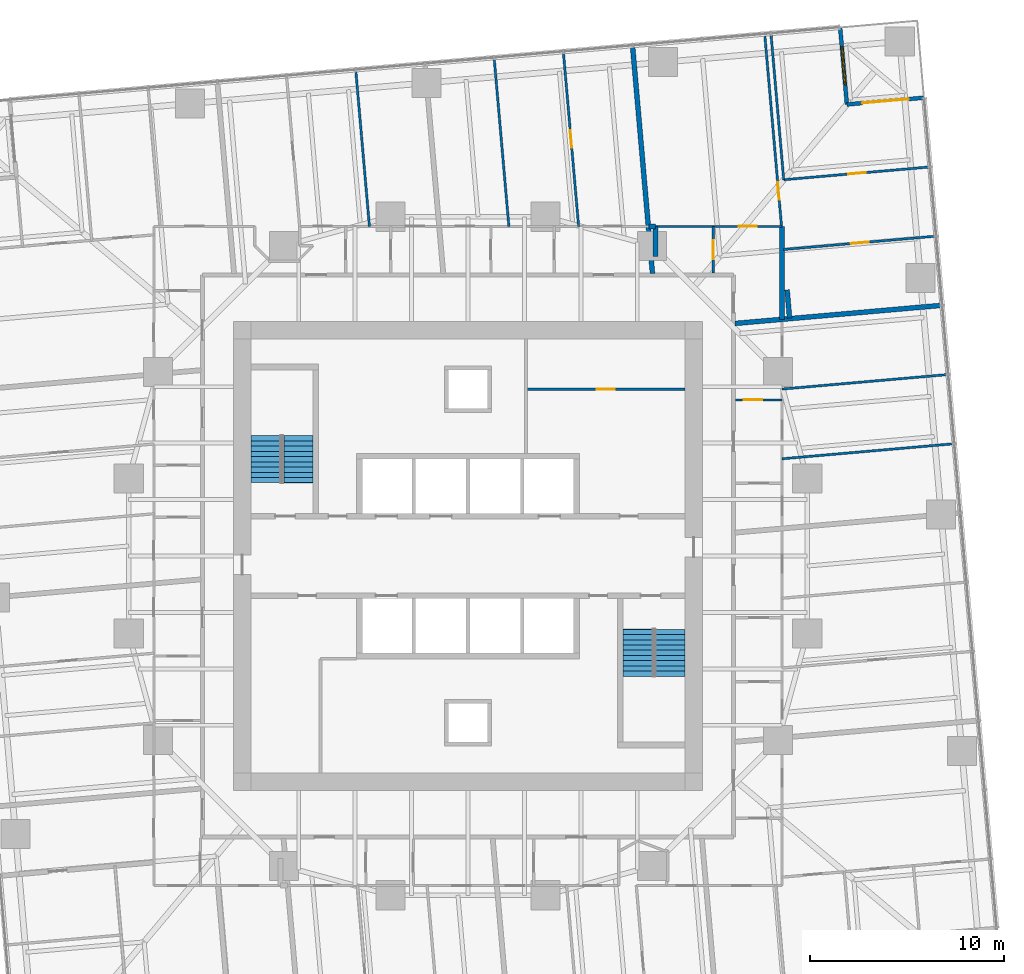
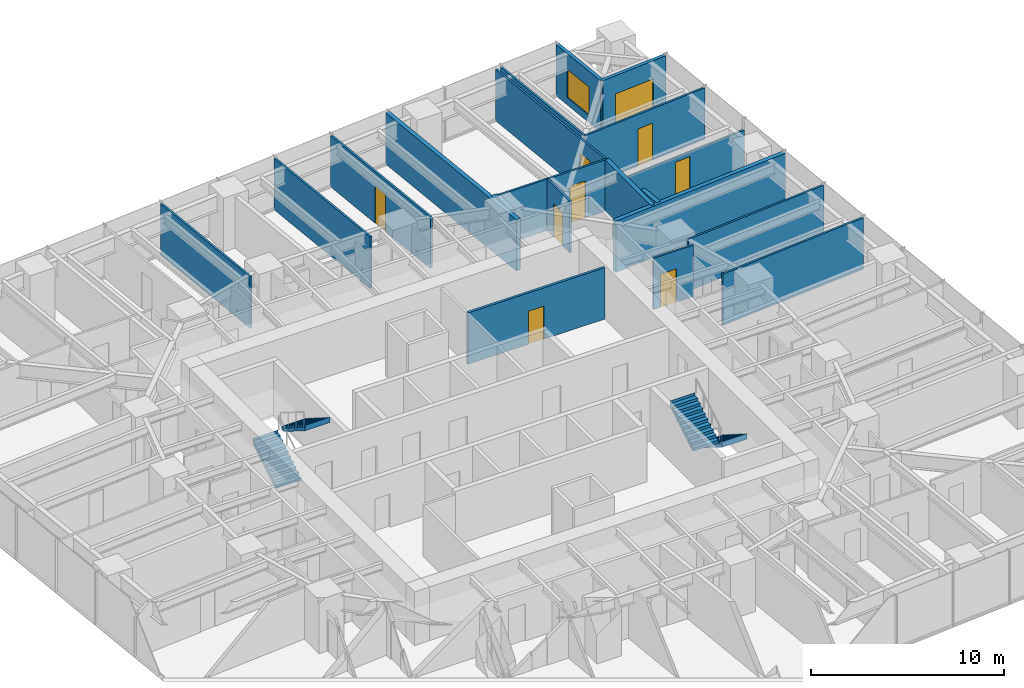
# One storey, part 13 of 14: 21 walls, 9 doors, 4 stair flights, 1 window, 10 openings, 2 elements without a shape of their own.
"""IFC4 building model written with IfcOpenShell, lengths in metres."""

from ifc_helpers import new_model, si_unit, direction, frame, frame_2d, origin, place, context, subcontext, project, spatial, polyline, rectangle, outline, extrude, material, layer, layer_set, type_object, element, fill, aggregate, save


model = new_model("IFC4")

# Units and contexts
model_context = context("Model", 3, precision=1e-05, world=origin(), true_north=direction((0.0, 1.0)))
body_context = subcontext(model_context, "Body", "Model", "MODEL_VIEW")
ifc_project = project(units=[si_unit("LENGTHUNIT", "METRE"), si_unit("AREAUNIT", "SQUARE_METRE"), si_unit("VOLUMEUNIT", "CUBIC_METRE"), si_unit("PLANEANGLEUNIT", "RADIAN"), si_unit("MASSUNIT", "GRAM", prefix="KILO")], contexts=[model_context])

# Site, building, storey
site_placement = place(None, origin())
site = spatial("IfcSite", under=ifc_project, at=site_placement, CompositionType="ELEMENT")
building_placement = place(site_placement, origin())
building = spatial("IfcBuilding", under=site, at=building_placement, Name="Torsade Residences", CompositionType="ELEMENT")
storey_placement = place(building_placement, frame((0.0, 0.0, 64.199951171875)))
storey = spatial("IfcBuildingStorey", under=building, at=storey_placement, Name="L17", CompositionType="ELEMENT", Elevation=64.199951171875)

# Wall, opening, door
ifc_material_1 = material(Name="Plasterboard on steel stud", Category="steel")
ifc_layer_1 = layer(ifc_material_1, 0.1201171875)
ifc_layer_set_1 = layer_set([ifc_layer_1], Name="Plasterboard on steel stud")
wall_type_1 = type_object("IfcWallType", Name="PARTITION 120", PredefinedType="PARTITIONING", material=ifc_layer_set_1)
wall_1_placement = place(storey_placement, frame((53.800048828125, 38.05029296875, 0.0), z_axis=(0.0, 0.0, 1.0), x_axis=(1.0, 0.0, 0.0)))
wall_1 = element("IfcWall", 1, at=wall_1_placement, inside=storey, type_object=wall_type_1, Name="Partition L17", PredefinedType="PARTITIONING", context=body_context, shape_type="SweptSolid", body=[
    extrude(rectangle(XDim=2.39990234375, YDim=0.1201171875, at=frame_2d((1.199951171875, 0.0))), origin(), (0.0, 0.0, 1.0), 3.25),
])
opening_1_placement = place(wall_1_placement, frame((0.419921875, 0.0, 0.0)))
opening_1 = element("IfcOpeningElement", 2, at=opening_1_placement, cuts=wall_1, Name="Opening D05", PredefinedType="OPENING", context=body_context, shape_type="SweptSolid", body=[
    extrude(rectangle(XDim=0.9599609375, YDim=2.10009765625, at=frame_2d((0.47998046875, 1.050048828125))), frame((0.0, 0.070068359375, 0.0), z_axis=(0.0, -1.0, 0.0), x_axis=(1.0, 0.0, 0.0)), (0.0, 0.0, 1.0), 0.14013671875),
])
ifc_material_2 = material(Name="Hollow-core timber door in a steel cavity frame", Category="steel")
door_type_1 = type_object("IfcDoorType", Name="BATHROOM CAVITY SLIDING DOOR 960", OperationType="SLIDING_TO_LEFT", PredefinedType="DOOR", material=ifc_material_2)
door_1_placement = place(opening_1_placement, origin())
door_1 = element("IfcDoor", 3, at=door_1_placement, inside=storey, type_object=door_type_1, Name="Door Kitchen and dining to Bathroom", OperationType="SLIDING_TO_LEFT", OverallHeight=2.10009765625, OverallWidth=0.9599609375, PredefinedType="DOOR", context=body_context, shape_type="SweptSolid", body=[
    extrude(rectangle(XDim=0.9599609375, YDim=2.10009765625, at=frame_2d((0.47998046875, 1.050048828125))), frame((0.0, 0.02490234375, 0.0), z_axis=(0.0, -1.0, 0.0), x_axis=(1.0, 0.0, 0.0)), (0.0, 0.0, 1.0), 0.050048828125),
])
fill(opening_1, door_1)

# Walls
wall_2_placement = place(storey_placement, frame((56.199951171875, 35.014404296875, 0.0), z_axis=(0.0, 0.0, 1.0), x_axis=(0.996194045583, 0.087163200634, 0.0)))
element("IfcWall", 4, at=wall_2_placement, inside=storey, type_object=wall_type_1, Name="Partition L17", PredefinedType="PARTITIONING", context=body_context, shape_type="SweptSolid", body=[
    extrude(rectangle(XDim=8.884765625, YDim=0.1201171875, at=frame_2d((4.4423828125, 0.0))), origin(), (0.0, 0.0, 1.0), 3.25),
])
wall_3_placement = place(storey_placement, frame((56.199951171875, 38.611328125, 0.0), z_axis=(0.0, 0.0, 1.0), x_axis=(0.996194273991, 0.087160590107, 0.0)))
element("IfcWall", 5, at=wall_3_placement, inside=storey, type_object=wall_type_1, Name="Partition L17", PredefinedType="PARTITIONING", context=body_context, shape_type="SweptSolid", body=[
    extrude(rectangle(XDim=8.5712890625, YDim=0.1201171875, at=frame_2d((4.28564453125, 0.0))), origin(), (0.0, 0.0, 1.0), 3.25),
])

# Wall, opening, door
wall_4_placement = place(storey_placement, frame((52.657470703125, 44.60009765625, 0.0), z_axis=(0.0, 0.0, 1.0), x_axis=(0.0, 1.0, 0.0)))
wall_4 = element("IfcWall", 6, at=wall_4_placement, inside=storey, type_object=wall_type_1, Name="Partition L17", PredefinedType="PARTITIONING", context=body_context, shape_type="SweptSolid", body=[
    extrude(rectangle(XDim=2.39990234375, YDim=0.1201171875, at=frame_2d((1.199951171875, 0.0))), origin(), (0.0, 0.0, 1.0), 3.25),
])
opening_2_placement = place(wall_4_placement, frame((0.719970703125, 0.0, 0.0)))
opening_2 = element("IfcOpeningElement", 7, at=opening_2_placement, cuts=wall_4, Name="Opening D05", PredefinedType="OPENING", context=body_context, shape_type="SweptSolid", body=[
    extrude(rectangle(XDim=0.9599609375, YDim=2.10009765625, at=frame_2d((0.47998046875, 1.050048828125))), frame((0.0, 0.070068359375, 0.0), z_axis=(0.0, -1.0, 0.0), x_axis=(1.0, 0.0, 0.0)), (0.0, 0.0, 1.0), 0.14013671875),
])
door_2_placement = place(opening_2_placement, origin())
door_2 = element("IfcDoor", 8, at=door_2_placement, inside=storey, type_object=door_type_1, Name="Door Kitchen and dining to Bathroom", OperationType="SLIDING_TO_LEFT", OverallHeight=2.10009765625, OverallWidth=0.9599609375, PredefinedType="DOOR", context=body_context, shape_type="SweptSolid", body=[
    extrude(rectangle(XDim=0.9599609375, YDim=2.10009765625, at=frame_2d((0.47998046875, 1.050048828125))), frame((0.0, 0.02490234375, 0.0), z_axis=(0.0, -1.0, 0.0), x_axis=(1.0, 0.0, 0.0)), (0.0, 0.0, 1.0), 0.050048828125),
])
fill(opening_2, door_2)

wall_5_placement = place(storey_placement, frame((49.68017578125, 47.0, 0.0), z_axis=(0.0, 0.0, 1.0), x_axis=(1.0, 0.0, 0.0)))
wall_5 = element("IfcWall", 9, at=wall_5_placement, inside=storey, type_object=wall_type_1, Name="Partition L17", PredefinedType="PARTITIONING", context=body_context, shape_type="SweptSolid", body=[
    extrude(rectangle(XDim=6.519775390625, YDim=0.1201171875, at=frame_2d((3.259765625, 0.0))), origin(), (0.0, 0.0, 1.0), 3.25),
])
opening_3_placement = place(wall_5_placement, frame((4.28857421875, 0.0, 0.0)))
opening_3 = element("IfcOpeningElement", 10, at=opening_3_placement, cuts=wall_5, Name="Opening D02", PredefinedType="OPENING", context=body_context, shape_type="SweptSolid", body=[
    extrude(rectangle(XDim=0.919921875, YDim=2.340087890625, at=frame_2d((0.4599609375, 1.169921875))), frame((0.0, 0.070068359375, 0.0), z_axis=(0.0, -1.0, 0.0), x_axis=(1.0, 0.0, 0.0)), (0.0, 0.0, 1.0), 0.14013671875),
])
ifc_material_3 = material(Name="Hollow-core timber door", Category="wood")
door_type_2 = type_object("IfcDoorType", Name="INTERNAL DOOR 920x2340", OperationType="NOTDEFINED", PredefinedType="DOOR", material=ifc_material_3)
door_3_placement = place(opening_3_placement, origin())
door_3 = element("IfcDoor", 11, at=door_3_placement, inside=storey, type_object=door_type_2, Name="Door Kitchen and dining to Living room", OperationType="SINGLE_SWING_RIGHT", OverallHeight=2.340087890625, OverallWidth=0.919921875, PredefinedType="DOOR", context=body_context, shape_type="SweptSolid", body=[
    extrude(rectangle(XDim=0.919921875, YDim=2.340087890625, at=frame_2d((0.4599609375, 1.169921875))), frame((0.0, 0.02490234375, 0.0), z_axis=(0.0, -1.0, 0.0), x_axis=(1.0, 0.0, 0.0)), (0.0, 0.0, 1.0), 0.050048828125),
])
fill(opening_3, door_3)

wall_6_placement = place(storey_placement, frame((55.30810546875, 56.896484375, 0.0), z_axis=(0.0, 0.0, 1.0), x_axis=(0.087145000294, -0.996195637876, 0.0)))
wall_6 = element("IfcWall", 12, at=wall_6_placement, inside=storey, type_object=wall_type_1, Name="Partition L17", PredefinedType="PARTITIONING", context=body_context, shape_type="SweptSolid", body=[
    extrude(rectangle(XDim=9.934326171875, YDim=0.1201171875, at=frame_2d((4.96728515625, 0.0))), origin(), (0.0, 0.0, 1.0), 3.25),
])
opening_4_placement = place(wall_6_placement, frame((7.63720703125, 0.0, 0.0)))
opening_4 = element("IfcOpeningElement", 13, at=opening_4_placement, cuts=wall_6, Name="Opening D02", PredefinedType="OPENING", context=body_context, shape_type="SweptSolid", body=[
    extrude(rectangle(XDim=0.919921875, YDim=2.340087890625, at=frame_2d((0.4599609375, 1.169921875))), frame((0.0, 0.070068359375, 0.0), z_axis=(0.0, -1.0, 0.0), x_axis=(1.0, 0.0, 0.0)), (0.0, 0.0, 1.0), 0.14013671875),
])
door_4_placement = place(opening_4_placement, origin())
door_4 = element("IfcDoor", 14, at=door_4_placement, inside=storey, type_object=door_type_2, Name="Door Living room to Bedroom 1", OperationType="SINGLE_SWING_RIGHT", OverallHeight=2.340087890625, OverallWidth=0.919921875, PredefinedType="DOOR", context=body_context, shape_type="SweptSolid", body=[
    extrude(rectangle(XDim=0.919921875, YDim=2.340087890625, at=frame_2d((0.4599609375, 1.169921875))), frame((0.0, 0.02490234375, 0.0), z_axis=(0.0, -1.0, 0.0), x_axis=(1.0, 0.0, 0.0)), (0.0, 0.0, 1.0), 0.050048828125),
])
fill(opening_4, door_4)

wall_7_placement = place(storey_placement, frame((64.11376953125, 46.497802734375, 0.0), z_axis=(0.0, 0.0, 1.0), x_axis=(-0.996194795495, -0.087154629416, 0.0)))
wall_7 = element("IfcWall", 15, at=wall_7_placement, inside=storey, type_object=wall_type_1, Name="Partition L17", PredefinedType="PARTITIONING", context=body_context, shape_type="SweptSolid", body=[
    extrude(rectangle(XDim=7.865966796875, YDim=0.1201171875, at=frame_2d((3.93310546875, 0.0))), origin(), (0.0, 0.0, 1.0), 2.637939453125),
])
opening_5_placement = place(wall_7_placement, frame((3.453125, 0.0, 0.0)))
opening_5 = element("IfcOpeningElement", 16, at=opening_5_placement, cuts=wall_7, Name="Opening D02", PredefinedType="OPENING", context=body_context, shape_type="SweptSolid", body=[
    extrude(rectangle(XDim=0.919921875, YDim=2.340087890625, at=frame_2d((0.4599609375, 1.169921875))), frame((0.0, 0.070068359375, 0.0), z_axis=(0.0, -1.0, 0.0), x_axis=(1.0, 0.0, 0.0)), (0.0, 0.0, 1.0), 0.14013671875),
])
door_5_placement = place(opening_5_placement, origin())
door_5 = element("IfcDoor", 17, at=door_5_placement, inside=storey, type_object=door_type_2, Name="Door Bedroom 1 to Bedroom 2", OperationType="SINGLE_SWING_RIGHT", OverallHeight=2.340087890625, OverallWidth=0.919921875, PredefinedType="DOOR", context=body_context, shape_type="SweptSolid", body=[
    extrude(rectangle(XDim=0.919921875, YDim=2.340087890625, at=frame_2d((0.4599609375, 1.169921875))), frame((0.0, 0.02490234375, 0.0), z_axis=(0.0, -1.0, 0.0), x_axis=(1.0, 0.0, 0.0)), (0.0, 0.0, 1.0), 0.050048828125),
])
fill(opening_5, door_5)

# Wall
wall_8_placement = place(storey_placement, frame((55.62939453125, 56.924560546875, 0.0), z_axis=(0.0, 0.0, 1.0), x_axis=(0.087158920508, -0.996194420069, 0.0)))
element("IfcWall", 18, at=wall_8_placement, inside=storey, type_object=wall_type_1, Name="Partition L17", PredefinedType="PARTITIONING", context=body_context, shape_type="SweptSolid", body=[
    extrude(rectangle(XDim=7.54345703125, YDim=0.1201171875, at=frame_2d((3.771728515625, 0.0))), origin(), (0.0, 0.0, 1.0), 3.25),
])

# Wall, opening, door
wall_9_placement = place(storey_placement, frame((56.286865234375, 49.409912109375, 0.0), z_axis=(0.0, 0.0, 1.0), x_axis=(0.996194420069, 0.087158920508, 0.0)))
wall_9 = element("IfcWall", 19, at=wall_9_placement, inside=storey, type_object=wall_type_1, Name="Partition L17", PredefinedType="PARTITIONING", context=body_context, shape_type="SweptSolid", body=[
    extrude(rectangle(XDim=7.54345703125, YDim=0.1201171875, at=frame_2d((3.771728515625, 0.0))), origin(), (0.0, 0.0, 1.0), 3.25),
])
opening_6_placement = place(wall_9_placement, frame((3.331787109375, 0.0, 0.0)))
opening_6 = element("IfcOpeningElement", 20, at=opening_6_placement, cuts=wall_9, Name="Opening D02", PredefinedType="OPENING", context=body_context, shape_type="SweptSolid", body=[
    extrude(rectangle(XDim=0.919921875, YDim=2.340087890625, at=frame_2d((0.4599609375, 1.169921875))), frame((0.0, 0.070068359375, 0.0), z_axis=(0.0, -1.0, 0.0), x_axis=(1.0, 0.0, 0.0)), (0.0, 0.0, 1.0), 0.14013671875),
])
door_6_placement = place(opening_6_placement, origin())
door_6 = element("IfcDoor", 21, at=door_6_placement, inside=storey, type_object=door_type_2, Name="Door Bedroom 1 to Study", OperationType="SINGLE_SWING_LEFT", OverallHeight=2.340087890625, OverallWidth=0.919921875, PredefinedType="DOOR", context=body_context, shape_type="SweptSolid", body=[
    extrude(rectangle(XDim=0.919921875, YDim=2.340087890625, at=frame_2d((0.4599609375, 1.169921875))), frame((0.0, 0.02490234375, 0.0), z_axis=(0.0, -1.0, 0.0), x_axis=(1.0, 0.0, 0.0)), (0.0, 0.0, 1.0), 0.050048828125),
])
fill(opening_6, door_6)

wall_10_placement = place(storey_placement, frame((45.706787109375, 47.0, 0.0), z_axis=(0.0, 0.0, 1.0), x_axis=(-0.087160907995, 0.996194246178, 0.0)))
wall_10 = element("IfcWall", 22, at=wall_10_placement, inside=storey, type_object=wall_type_1, Name="Partition L17", PredefinedType="PARTITIONING", context=body_context, shape_type="SweptSolid", body=[
    extrude(rectangle(XDim=9.022216796875, YDim=0.1201171875, at=frame_2d((4.51123046875, 0.0))), origin(), (0.0, 0.0, 1.0), 3.25),
])
opening_7_placement = place(wall_10_placement, frame((4.071044921875, 0.0, 0.0)))
opening_7 = element("IfcOpeningElement", 23, at=opening_7_placement, cuts=wall_10, Name="Opening D02", PredefinedType="OPENING", context=body_context, shape_type="SweptSolid", body=[
    extrude(rectangle(XDim=0.919921875, YDim=2.340087890625, at=frame_2d((0.4599609375, 1.169921875))), frame((0.0, 0.070068359375, 0.0), z_axis=(0.0, -1.0, 0.0), x_axis=(1.0, 0.0, 0.0)), (0.0, 0.0, 1.0), 0.14013671875),
])
door_7_placement = place(opening_7_placement, origin())
door_7 = element("IfcDoor", 24, at=door_7_placement, inside=storey, type_object=door_type_2, Name="Door Living room to Bedroom 1", OperationType="SINGLE_SWING_LEFT", OverallHeight=2.340087890625, OverallWidth=0.919921875, PredefinedType="DOOR", context=body_context, shape_type="SweptSolid", body=[
    extrude(rectangle(XDim=0.919921875, YDim=2.340087890625, at=frame_2d((0.4599609375, 1.169921875))), frame((0.0, 0.02490234375, 0.0), z_axis=(0.0, -1.0, 0.0), x_axis=(1.0, 0.0, 0.0)), (0.0, 0.0, 1.0), 0.050048828125),
])
fill(opening_7, door_7)

# Walls
wall_11_placement = place(storey_placement, frame((42.109619140625, 47.0, 0.0), z_axis=(0.0, 0.0, 1.0), x_axis=(-0.087158256162, 0.996194478193, 0.0)))
element("IfcWall", 25, at=wall_11_placement, inside=storey, type_object=wall_type_1, Name="Partition L17", PredefinedType="PARTITIONING", context=body_context, shape_type="SweptSolid", body=[
    extrude(rectangle(XDim=8.708740234375, YDim=0.1201171875, at=frame_2d((4.3544921875, 0.0))), origin(), (0.0, 0.0, 1.0), 3.25),
])
wall_12_placement = place(storey_placement, frame((34.915771484375, 47.0, 0.0), z_axis=(0.0, 0.0, 1.0), x_axis=(-0.087184938313, 0.99619214338, 0.0)))
element("IfcWall", 26, at=wall_12_placement, inside=storey, type_object=wall_type_1, Name="Partition L17", PredefinedType="PARTITIONING", context=body_context, shape_type="SweptSolid", body=[
    extrude(rectangle(XDim=8.08154296875, YDim=0.1201171875, at=frame_2d((4.040771484375, 0.0))), origin(), (0.0, 0.0, 1.0), 3.25),
])
ifc_material_4 = material(Name="Masonry-lined stud party wall", Category="masonry")
ifc_layer_2 = layer(ifc_material_4, 0.25)
ifc_layer_set_2 = layer_set([ifc_layer_2], Name="Masonry-lined stud party wall")
wall_type_2 = type_object("IfcWallType", Name="PARTY WALL 250", PredefinedType="PARTITIONING", material=ifc_layer_set_2)
wall_13_placement = place(storey_placement, frame((64.466064453125, 42.931640625, 0.0), z_axis=(0.0, 0.0, 1.0), x_axis=(-0.996193939644, -0.08716441141, 0.0)))
element("IfcWall", 27, at=wall_13_placement, inside=storey, type_object=wall_type_2, Name="Party wall L17", PredefinedType="PARTITIONING", context=body_context, shape_type="SweptSolid", body=[
    extrude(rectangle(XDim=10.73583984375, YDim=0.25, at=frame_2d((5.367919921875, 0.0))), origin(), (0.0, 0.0, 1.0), 3.25),
])
wall_14_placement = place(storey_placement, frame((48.486572265625, 56.33984375, 0.0), z_axis=(0.0, 0.0, 1.0), x_axis=(0.087168232078, -0.996193605338, 0.0)))
element("IfcWall", 28, at=wall_14_placement, inside=storey, type_object=wall_type_2, Name="Party wall L17", PredefinedType="PARTITIONING", context=body_context, shape_type="SweptSolid", body=[
    extrude(rectangle(XDim=11.813720703125, YDim=0.25, at=frame_2d((5.90673828125, 0.0))), origin(), (0.0, 0.0, 1.0), 3.25),
])
wall_15_placement = place(storey_placement, frame((56.199951171875, 42.20849609375, 0.0), z_axis=(0.0, 0.0, 1.0), x_axis=(0.0, 1.0, 0.0)))
element("IfcWall", 29, at=wall_15_placement, inside=storey, type_object=wall_type_2, Name="Party wall L17", PredefinedType="PARTITIONING", context=body_context, shape_type="SweptSolid", body=[
    extrude(rectangle(XDim=4.79150390625, YDim=0.25, at=frame_2d((2.395751953125, 0.0))), origin(), (0.0, 0.0, 1.0), 3.25),
])
wall_16_placement = place(storey_placement, frame((56.4599609375, 43.7294921875, 0.0), z_axis=(0.0, 0.0, 1.0), x_axis=(0.087133819286, -0.996196615903, 0.0)))
element("IfcWall", 30, at=wall_16_placement, inside=storey, type_object=wall_type_2, Name="Party wall L17", PredefinedType="PARTITIONING", context=body_context, shape_type="SweptSolid", body=[
    extrude(rectangle(XDim=1.462646484375, YDim=0.25, at=frame_2d((0.7314453125, 0.0))), origin(), (0.0, 0.0, 1.0), 3.25),
])
wall_17_placement = place(storey_placement, frame((49.68017578125, 47.0, 0.0), z_axis=(0.0, 0.0, 1.0), x_axis=(0.0, -1.0, 0.0)))
element("IfcWall", 31, at=wall_17_placement, inside=storey, type_object=wall_type_2, Name="Party wall L17", PredefinedType="PARTITIONING", context=body_context, shape_type="SweptSolid", body=[
    extrude(rectangle(XDim=1.549072265625, YDim=0.25, at=frame_2d((0.7744140625, 0.0))), origin(), (0.0, 0.0, 1.0), 3.25),
])
wall_18_placement = place(storey_placement, frame((49.328369140625, 47.000244140625, 0.0), z_axis=(0.0, 0.0, 1.0), x_axis=(0.999999759208, -0.000693962359, 0.0)))
element("IfcWall", 32, at=wall_18_placement, inside=storey, type_object=wall_type_2, Name="Party wall L17", PredefinedType="PARTITIONING", context=body_context, shape_type="SweptSolid", body=[
    extrude(rectangle(XDim=0.351806640625, YDim=0.25, at=frame_2d((0.17578125, 0.0))), origin(), (0.0, 0.0, 1.0), 3.25),
])

# Wall, opening, door
ifc_material_5 = material(Name="Reinforced blockwork", Category="masonry")
ifc_layer_3 = layer(ifc_material_5, 0.14990234375)
ifc_layer_set_3 = layer_set([ifc_layer_3], Name="Reinforced blockwork")
wall_type_3 = type_object("IfcWallType", Name="SERVICE ROOM WALL 150", PredefinedType="SOLIDWALL", material=ifc_layer_set_3)
wall_19_placement = place(storey_placement, frame((43.0, 38.60009765625, 0.0), z_axis=(0.0, 0.0, 1.0), x_axis=(1.0, 0.0, 0.0)))
wall_19 = element("IfcWall", 33, at=wall_19_placement, inside=storey, type_object=wall_type_3, Name="Service room wall L17", PredefinedType="SOLIDWALL", context=body_context, shape_type="SweptSolid", body=[
    extrude(rectangle(XDim=8.199951171875, YDim=0.14990234375, at=frame_2d((4.10009765625, 0.0))), origin(), (0.0, 0.0, 1.0), 3.25),
])
opening_8_placement = place(wall_19_placement, frame((3.639892578125, 0.0, 0.0)))
opening_8 = element("IfcOpeningElement", 34, at=opening_8_placement, cuts=wall_19, Name="Opening D06", PredefinedType="OPENING", context=body_context, shape_type="SweptSolid", body=[
    extrude(rectangle(XDim=0.919921875, YDim=2.10009765625, at=frame_2d((0.4599609375, 1.050048828125))), frame((0.0, 0.0849609375, 0.0), z_axis=(0.0, -1.0, 0.0), x_axis=(1.0, 0.0, 0.0)), (0.0, 0.0, 1.0), 0.169921875),
])
ifc_material_6 = material(Name="Steel-framed fire door", Category="steel")
door_type_3 = type_object("IfcDoorType", Name="FIRE DOOR 920", OperationType="NOTDEFINED", PredefinedType="DOOR", material=ifc_material_6)
door_8_placement = place(opening_8_placement, origin())
door_8 = element("IfcDoor", 35, at=door_8_placement, inside=storey, type_object=door_type_3, Name="Door Refuse room to Bulky waste store", OperationType="SINGLE_SWING_LEFT", OverallHeight=2.10009765625, OverallWidth=0.919921875, PredefinedType="DOOR", context=body_context, shape_type="SweptSolid", body=[
    extrude(rectangle(XDim=0.919921875, YDim=2.10009765625, at=frame_2d((0.4599609375, 1.050048828125))), frame((0.0, 0.02490234375, 0.0), z_axis=(0.0, -1.0, 0.0), x_axis=(1.0, 0.0, 0.0)), (0.0, 0.0, 1.0), 0.050048828125),
])
fill(opening_8, door_8)

ifc_material_7 = material(Name="Stone-faced precast concrete 40 MPa panel", Category="masonry")
ifc_layer_4 = layer(ifc_material_7, 0.199951171875)
ifc_layer_set_4 = layer_set([ifc_layer_4], Name="Stone-faced precast concrete 40 MPa panel")
wall_type_4 = type_object("IfcWallType", Name="TERRACE WALL 200", PredefinedType="SOLIDWALL", material=ifc_layer_set_4)
wall_20_placement = place(storey_placement, frame((63.529052734375, 53.640625, 0.0), z_axis=(0.0, 0.0, 1.0), x_axis=(-0.99619418125, -0.087161650072, 0.0)))
wall_20 = element("IfcWall", 36, at=wall_20_placement, inside=storey, type_object=wall_type_4, Name="Terrace wall L17 5", PredefinedType="SOLIDWALL", context=body_context, shape_type="SweptSolid", body=[
    extrude(rectangle(XDim=3.999755859375, YDim=0.199951171875, at=frame_2d((2.0, 0.0))), origin(), (0.0, 0.0, 1.0), 3.25),
])
opening_9_placement = place(wall_20_placement, frame((0.800048828125, 0.0, 0.0)))
opening_9 = element("IfcOpeningElement", 37, at=opening_9_placement, cuts=wall_20, Name="Opening D10A", PredefinedType="OPENING", context=body_context, shape_type="SweptSolid", body=[
    extrude(rectangle(XDim=2.39990234375, YDim=2.10009765625, at=frame_2d((1.199951171875, 1.050048828125))), frame((0.0, 0.10986328125, 0.0), z_axis=(0.0, -1.0, 0.0), x_axis=(1.0, 0.0, 0.0)), (0.0, 0.0, 1.0), 0.219970703125),
])
ifc_material_8 = material(Name="Aluminium-framed glass door", Category="aluminium")
door_type_4 = type_object("IfcDoorType", Name="TERRACE SLIDING DOOR 2400x2100", OperationType="SLIDING_TO_LEFT", PredefinedType="DOOR", material=ifc_material_8)
door_9_placement = place(opening_9_placement, origin())
door_9 = element("IfcDoor", 38, at=door_9_placement, inside=storey, type_object=door_type_4, Name="Terrace door L17 5", OperationType="SLIDING_TO_LEFT", OverallHeight=2.10009765625, OverallWidth=2.39990234375, PredefinedType="DOOR", context=body_context, shape_type="SweptSolid", body=[
    extrude(rectangle(XDim=2.39990234375, YDim=2.10009765625, at=frame_2d((1.199951171875, 1.050048828125))), frame((0.0, 0.02490234375, 0.0), z_axis=(0.0, -1.0, 0.0), x_axis=(1.0, 0.0, 0.0)), (0.0, 0.0, 1.0), 0.050048828125),
])
fill(opening_9, door_9)

# Wall, opening, window
wall_21_placement = place(storey_placement, frame((59.54443359375, 53.2919921875, 0.0), z_axis=(0.0, 0.0, 1.0), x_axis=(-0.087156350505, 0.99619464492, 0.0)))
wall_21 = element("IfcWall", 39, at=wall_21_placement, inside=storey, type_object=wall_type_4, Name="Terrace wall L17 6", PredefinedType="SOLIDWALL", context=body_context, shape_type="SweptSolid", body=[
    extrude(rectangle(XDim=4.0, YDim=0.199951171875, at=frame_2d((2.0, 0.0))), origin(), (0.0, 0.0, 1.0), 3.25),
])
opening_10_placement = place(wall_21_placement, frame((1.0, 0.0, 0.449951171875)))
opening_10 = element("IfcOpeningElement", 40, at=opening_10_placement, cuts=wall_21, Name="Opening W1B", PredefinedType="OPENING", context=body_context, shape_type="SweptSolid", body=[
    extrude(rectangle(XDim=2.0, YDim=1.800048828125, at=frame_2d((1.0, 0.89990234375))), frame((0.0, 0.10986328125, 0.0), z_axis=(0.0, -1.0, 0.0), x_axis=(1.0, 0.0, 0.0)), (0.0, 0.0, 1.0), 0.219970703125),
])
ifc_material_9 = material(Name="Aluminium-framed glass window", Category="aluminium")
window_type = type_object("IfcWindowType", Name="TERRACE WINDOW 2000x1800", PartitioningType="SINGLE_PANEL", PredefinedType="WINDOW", material=ifc_material_9)
window_placement = place(opening_10_placement, origin())
window = element("IfcWindow", 41, at=window_placement, inside=storey, type_object=window_type, Name="Terrace window L17 6", OverallHeight=1.800048828125, OverallWidth=2.0, PartitioningType="SINGLE_PANEL", PredefinedType="WINDOW", context=body_context, shape_type="SweptSolid", body=[
    extrude(rectangle(XDim=2.0, YDim=1.800048828125, at=frame_2d((1.0, 0.89990234375))), frame((0.0, 0.030029296875, 0.0), z_axis=(0.0, -1.0, 0.0), x_axis=(1.0, 0.0, 0.0)), (0.0, 0.0, 1.0), 0.06005859375),
])
fill(opening_10, window)

# Stair, stair flights
ifc_material_10 = material(Name="Precast concrete 40 MPa", Category="concrete")
stair_type = type_object("IfcStairType", Name="HALF-TURN FIRE STAIR 1500x3400", PredefinedType="HALF_TURN_STAIR", material=ifc_material_10)
stair_1_placement = place(storey_placement, origin())
stair_1 = element("IfcStair", 42, at=stair_1_placement, inside=storey, type_object=stair_type, Name="Stair ST1 L17", PredefinedType="HALF_TURN_STAIR")
ifc_material_11 = material(Name="Precast concrete 40 MPa", Category="concrete")
stair_flight_type = type_object("IfcStairFlightType", Name="PRECAST STAIR FLIGHT 1500x1700", PredefinedType="STRAIGHT", material=ifc_material_11)
stair_flight_1_placement = place(storey_placement, frame((29.550048828125, 33.780029296875, 0.0), z_axis=(0.0, 0.0, 1.0), x_axis=(0.0, 1.0, 0.0)))
stair_flight_1 = element("IfcStairFlight", 43, at=stair_flight_1_placement, type_object=stair_flight_type, Name="ST1 flight 1", NumberOfRisers=10, NumberOfTreads=9, PredefinedType="STRAIGHT", RiserHeight=0.17, TreadLength=0.27, context=body_context, shape_type="SweptSolid", body=[
    extrude(outline(polyline([(0.0, 0.0), (0.0, 0.169921875), (0.27001953125, 0.169921875), (0.27001953125, 0.340087890625), (0.5400390625, 0.340087890625), (0.5400390625, 0.510009765625), (0.81005859375, 0.510009765625), (0.81005859375, 0.679931640625), (1.080078125, 0.679931640625), (1.080078125, 0.85009765625), (1.35009765625, 0.85009765625), (1.35009765625, 1.02001953125), (1.6201171875, 1.02001953125), (1.6201171875, 1.18994140625), (1.889892578125, 1.18994140625), (1.889892578125, 1.360107421875), (2.159912109375, 1.360107421875), (2.159912109375, 1.530029296875), (2.429931640625, 1.530029296875), (2.429931640625, 1.699951171875), (2.43994140625, 1.699951171875), (2.43994140625, 1.352783203125), (2.429931640625, 1.352783203125), (0.28125, 0.0), (0.0, 0.0)])), frame((0.0, 0.75, 0.0), z_axis=(0.0, -1.0, 0.0), x_axis=(1.0, 0.0, 0.0)), (0.0, 0.0, 1.0), 1.5),
])
stair_flight_2_placement = place(storey_placement, frame((31.25, 36.2099609375, 1.699951171875), z_axis=(0.0, 0.0, 1.0), x_axis=(0.0, -1.0, 0.0)))
stair_flight_2 = element("IfcStairFlight", 44, at=stair_flight_2_placement, type_object=stair_flight_type, Name="ST1 flight 2", NumberOfRisers=10, NumberOfTreads=9, PredefinedType="STRAIGHT", RiserHeight=0.17, TreadLength=0.27, context=body_context, shape_type="SweptSolid", body=[
    extrude(outline(polyline([(0.0, 0.0), (0.0, 0.169921875), (0.27001953125, 0.169921875), (0.27001953125, 0.340087890625), (0.5400390625, 0.340087890625), (0.5400390625, 0.510009765625), (0.81005859375, 0.510009765625), (0.81005859375, 0.679931640625), (1.080078125, 0.679931640625), (1.080078125, 0.85009765625), (1.35009765625, 0.85009765625), (1.35009765625, 1.02001953125), (1.6201171875, 1.02001953125), (1.6201171875, 1.18994140625), (1.889892578125, 1.18994140625), (1.889892578125, 1.360107421875), (2.159912109375, 1.360107421875), (2.159912109375, 1.530029296875), (2.429931640625, 1.530029296875), (2.429931640625, 1.699951171875), (2.43994140625, 1.699951171875), (2.43994140625, 1.352783203125), (2.429931640625, 1.352783203125), (0.28125, 0.0), (0.0, 0.0)])), frame((0.0, 0.75, 0.0), z_axis=(0.0, -1.0, 0.0), x_axis=(1.0, 0.0, 0.0)), (0.0, 0.0, 1.0), 1.5),
])
aggregate(stair_1, [stair_flight_1, stair_flight_2])

stair_2_placement = place(storey_placement, origin())
stair_2 = element("IfcStair", 45, at=stair_2_placement, inside=storey, type_object=stair_type, Name="Stair ST2 L17", PredefinedType="HALF_TURN_STAIR")
stair_flight_3_placement = place(storey_placement, frame((50.449951171875, 26.219970703125, 0.0), z_axis=(0.0, 0.0, 1.0), x_axis=(0.0, -1.0, 0.0)))
stair_flight_3 = element("IfcStairFlight", 46, at=stair_flight_3_placement, type_object=stair_flight_type, Name="ST2 flight 1", NumberOfRisers=10, NumberOfTreads=9, PredefinedType="STRAIGHT", RiserHeight=0.17, TreadLength=0.27, context=body_context, shape_type="SweptSolid", body=[
    extrude(outline(polyline([(0.0, 0.0), (0.0, 0.169921875), (0.27001953125, 0.169921875), (0.27001953125, 0.340087890625), (0.5400390625, 0.340087890625), (0.5400390625, 0.510009765625), (0.81005859375, 0.510009765625), (0.81005859375, 0.679931640625), (1.080078125, 0.679931640625), (1.080078125, 0.85009765625), (1.35009765625, 0.85009765625), (1.35009765625, 1.02001953125), (1.6201171875, 1.02001953125), (1.6201171875, 1.18994140625), (1.889892578125, 1.18994140625), (1.889892578125, 1.360107421875), (2.159912109375, 1.360107421875), (2.159912109375, 1.530029296875), (2.429931640625, 1.530029296875), (2.429931640625, 1.699951171875), (2.43994140625, 1.699951171875), (2.43994140625, 1.352783203125), (2.429931640625, 1.352783203125), (0.28125, 0.0), (0.0, 0.0)])), frame((0.0, 0.75, 0.0), z_axis=(0.0, -1.0, 0.0), x_axis=(1.0, 0.0, 0.0)), (0.0, 0.0, 1.0), 1.5),
])
stair_flight_4_placement = place(storey_placement, frame((48.75, 23.7900390625, 1.699951171875), z_axis=(0.0, 0.0, 1.0), x_axis=(0.0, 1.0, 0.0)))
stair_flight_4 = element("IfcStairFlight", 47, at=stair_flight_4_placement, type_object=stair_flight_type, Name="ST2 flight 2", NumberOfRisers=10, NumberOfTreads=9, PredefinedType="STRAIGHT", RiserHeight=0.17, TreadLength=0.27, context=body_context, shape_type="SweptSolid", body=[
    extrude(outline(polyline([(0.0, 0.0), (0.0, 0.169921875), (0.27001953125, 0.169921875), (0.27001953125, 0.340087890625), (0.5400390625, 0.340087890625), (0.5400390625, 0.510009765625), (0.81005859375, 0.510009765625), (0.81005859375, 0.679931640625), (1.080078125, 0.679931640625), (1.080078125, 0.85009765625), (1.35009765625, 0.85009765625), (1.35009765625, 1.02001953125), (1.6201171875, 1.02001953125), (1.6201171875, 1.18994140625), (1.889892578125, 1.18994140625), (1.889892578125, 1.360107421875), (2.159912109375, 1.360107421875), (2.159912109375, 1.530029296875), (2.429931640625, 1.530029296875), (2.429931640625, 1.699951171875), (2.43994140625, 1.699951171875), (2.43994140625, 1.352783203125), (2.429931640625, 1.352783203125), (0.28125, 0.0), (0.0, 0.0)])), frame((0.0, 0.75, 0.0), z_axis=(0.0, -1.0, 0.0), x_axis=(1.0, 0.0, 0.0)), (0.0, 0.0, 1.0), 1.5),
])
aggregate(stair_2, [stair_flight_3, stair_flight_4])

save(model, "model.ifc")
